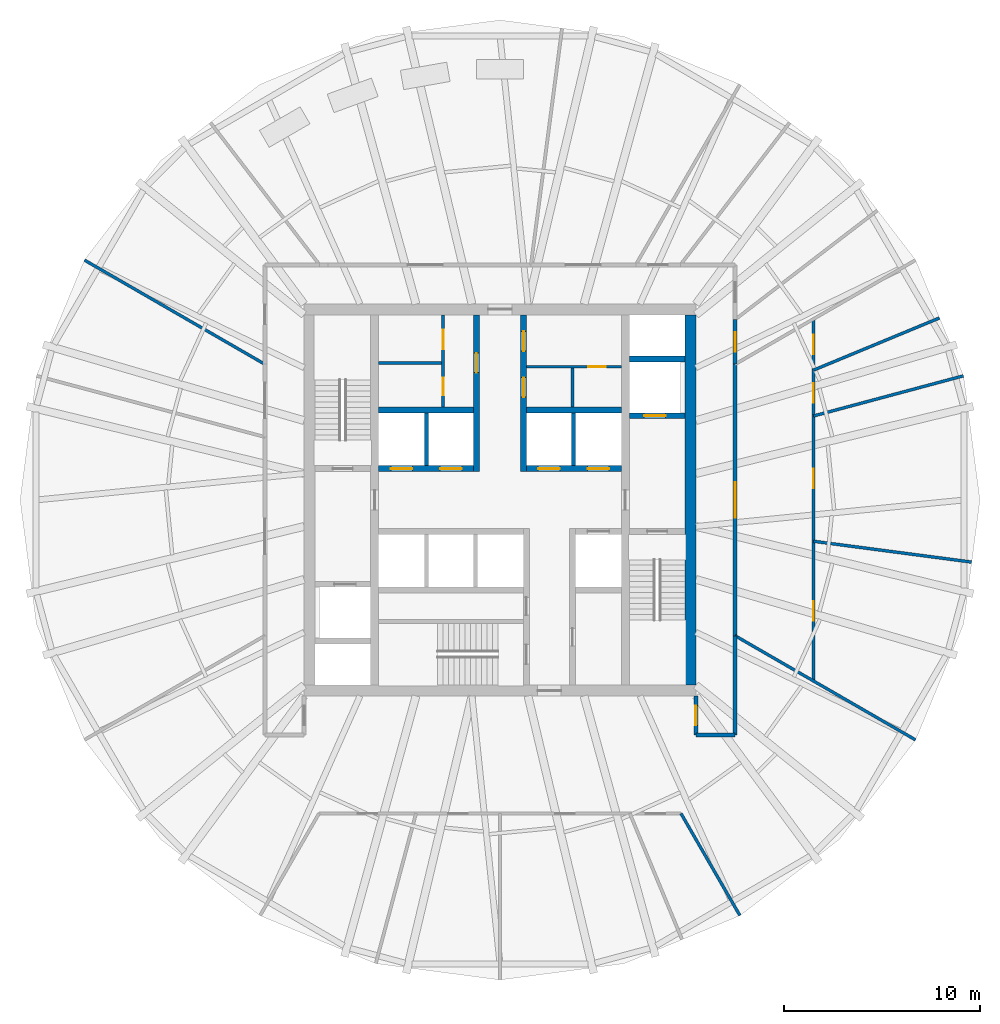
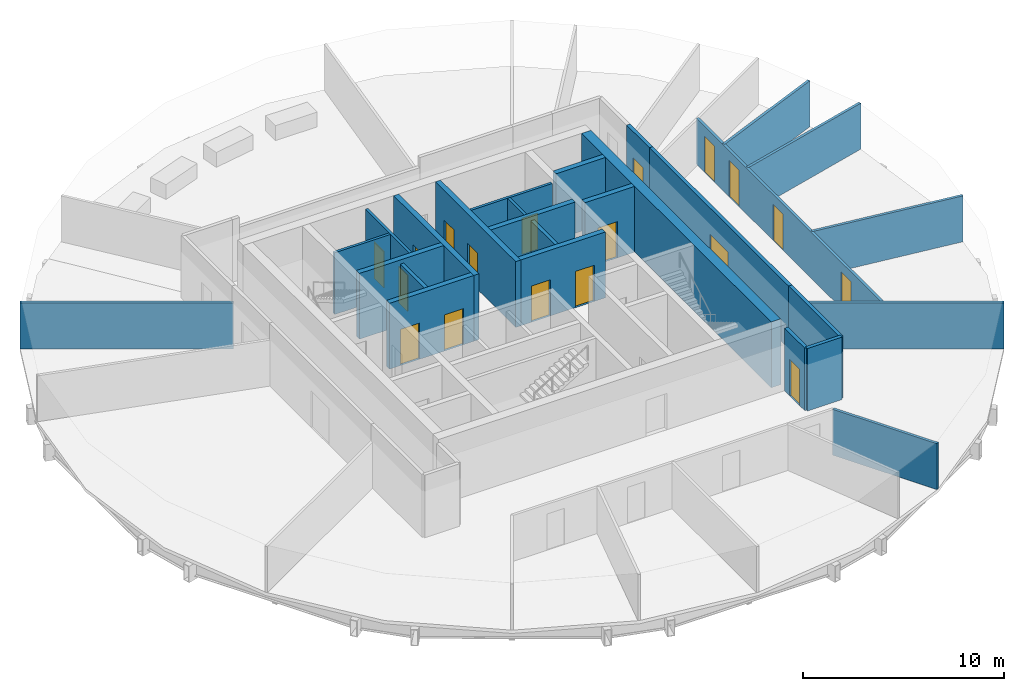
# One storey, part 4 of 7: 27 walls, 18 doors, 18 openings.
"""IFC4 building model written with IfcOpenShell, lengths in metres."""

from ifc_helpers import new_model, si_unit, direction, frame, frame_2d, origin, place, context, subcontext, project, spatial, rectangle, extrude, material, layer, layer_set, type_object, element, fill, save


model = new_model("IFC4")

# Units and contexts
model_context = context("Model", 3, precision=1e-05, world=origin(), true_north=direction((0.0, 1.0)))
body_context = subcontext(model_context, "Body", "Model", "MODEL_VIEW")
ifc_project = project(units=[si_unit("LENGTHUNIT", "METRE"), si_unit("AREAUNIT", "SQUARE_METRE"), si_unit("VOLUMEUNIT", "CUBIC_METRE"), si_unit("PLANEANGLEUNIT", "RADIAN"), si_unit("MASSUNIT", "GRAM", prefix="KILO")], contexts=[model_context])

# Site, building, storey
site_placement = place(None, origin())
site = spatial("IfcSite", under=ifc_project, at=site_placement, CompositionType="ELEMENT")
building_placement = place(site_placement, origin())
building = spatial("IfcBuilding", under=site, at=building_placement, Name="Golbaran Civic Tower", CompositionType="ELEMENT")
storey_placement = place(building_placement, frame((0.0, 0.0, 106.0)))
storey = spatial("IfcBuildingStorey", under=building, at=storey_placement, Name="L25", CompositionType="ELEMENT", Elevation=106.0)

# Wall, opening, door
ifc_material_1 = material(Name="Concrete block", Category="concrete")
ifc_layer_1 = layer(ifc_material_1, 0.14990234375, Name="Concrete block")
ifc_layer_set_1 = layer_set([ifc_layer_1], Name="Concrete block")
wall_type_1 = type_object("IfcWallType", Name="BLOCKWORK PARTITION 150", PredefinedType="PARTITIONING", material=ifc_layer_set_1)
wall_1_placement = place(storey_placement, frame((1.35009765625, 6.800048828125, 0.0), z_axis=(0.0, 0.0, 1.0), x_axis=(1.0, 0.0, 0.0)))
wall_1 = element("IfcWall", 1, at=wall_1_placement, inside=storey, type_object=wall_type_1, Name="Toilet block partition TN1 L25", PredefinedType="PARTITIONING", context=body_context, shape_type="SweptSolid", body=[
    extrude(rectangle(XDim=4.849853515625, YDim=0.14990234375, at=frame_2d((2.4248046875, 0.0))), origin(), (0.0, 0.0, 1.0), 3.75),
])
opening_1_placement = place(wall_1_placement, frame((3.14990234375, 0.0, 0.0)))
opening_1 = element("IfcOpeningElement", 2, at=opening_1_placement, cuts=wall_1, Name="Opening L25.CLN", PredefinedType="OPENING", context=body_context, shape_type="SweptSolid", body=[
    extrude(rectangle(XDim=0.89990234375, YDim=2.199951171875, at=frame_2d((0.449951171875, 1.10009765625))), frame((0.0, 0.0849609375, 0.0), z_axis=(0.0, -1.0, 0.0), x_axis=(1.0, 0.0, 0.0)), (0.0, 0.0, 1.0), 0.169921875),
])
ifc_material_2 = material(Name="Timber door set in steel frame", Category="steel")
door_type_1 = type_object("IfcDoorType", Name="RISER DOOR 900x2200", OperationType="SINGLE_SWING_LEFT", PredefinedType="DOOR", material=ifc_material_2)
door_1_placement = place(opening_1_placement, origin())
door_1 = element("IfcDoor", 3, at=door_1_placement, inside=storey, type_object=door_type_1, Name="Floor Store door", OperationType="SINGLE_SWING_RIGHT", OverallHeight=2.199951171875, OverallWidth=0.89990234375, PredefinedType="DOOR", context=body_context, shape_type="SweptSolid", body=[
    extrude(rectangle(XDim=0.89990234375, YDim=2.199951171875, at=frame_2d((0.449951171875, 1.10009765625))), frame((0.0, 0.02490234375, 0.0), z_axis=(0.0, -1.0, 0.0), x_axis=(1.0, 0.0, 0.0)), (0.0, 0.0, 1.0), 0.050048828125),
])
fill(opening_1, door_1)

# Walls
wall_2_placement = place(storey_placement, frame((3.699951171875, 4.75, 0.0), z_axis=(0.0, 0.0, 1.0), x_axis=(0.0, 1.0, 0.0)))
element("IfcWall", 4, at=wall_2_placement, inside=storey, type_object=wall_type_1, Name="Toilet block partition TN2 L25", PredefinedType="PARTITIONING", context=body_context, shape_type="SweptSolid", body=[
    extrude(rectangle(XDim=1.97509765625, YDim=0.14990234375, at=frame_2d((0.987548828125, 0.0))), origin(), (0.0, 0.0, 1.0), 3.75),
])
ifc_material_3 = material(Name="Concrete C50/60", Category="concrete")
ifc_layer_2 = layer(ifc_material_3, 0.550048828125, Name="Concrete C50/60")
ifc_layer_set_2 = layer_set([ifc_layer_2], Name="Concrete C50/60")
wall_type_2 = type_object("IfcWallType", Name="CORE WALL CONCRETE 550", PredefinedType="SOLIDWALL", material=ifc_layer_set_2)
wall_3_placement = place(storey_placement, frame((9.72509765625, -9.449951171875, 0.0), z_axis=(0.0, 0.0, 1.0), x_axis=(0.0, 1.0, 0.0)))
element("IfcWall", 5, at=wall_3_placement, inside=storey, type_object=wall_type_2, Name="Core wall CE L25", PredefinedType="SOLIDWALL", context=body_context, shape_type="SweptSolid", body=[
    extrude(rectangle(XDim=18.89990234375, YDim=0.550048828125, at=frame_2d((9.449951171875, 0.0))), origin(), (0.0, 0.0, 1.0), 4.0),
])

# Wall, opening, door
ifc_material_4 = material(Name="Gypsum board on steel studs, fire-rated", Category="steel")
ifc_layer_3 = layer(ifc_material_4, 0.199951171875, Name="Gypsum board on steel studs, fire-rated")
ifc_layer_set_3 = layer_set([ifc_layer_3], Name="Gypsum board on steel studs, fire-rated")
wall_type_3 = type_object("IfcWallType", Name="CORRIDOR WALL 200", PredefinedType="PARTITIONING", material=ifc_layer_set_3)
wall_4_placement = place(storey_placement, frame((12.0, -6.92822265625, 0.0), z_axis=(0.0, 0.0, 1.0), x_axis=(0.0, 1.0, 0.0)))
wall_4 = element("IfcWall", 6, at=wall_4_placement, inside=storey, type_object=wall_type_3, Name="Corridor wall L25", PredefinedType="PARTITIONING", context=body_context, shape_type="SweptSolid", body=[
    extrude(rectangle(XDim=13.8564453125, YDim=0.199951171875, at=frame_2d((6.92822265625, 0.0))), origin(), (0.0, 0.0, 1.0), 3.800048828125),
])
opening_2_placement = place(wall_4_placement, frame((6.0283203125, 0.0, 0.0)))
opening_2 = element("IfcOpeningElement", 7, at=opening_2_placement, cuts=wall_4, Name="Opening L25.10", PredefinedType="OPENING", context=body_context, shape_type="SweptSolid", body=[
    extrude(rectangle(XDim=1.800048828125, YDim=2.199951171875, at=frame_2d((0.89990234375, 1.10009765625))), frame((0.0, 0.10986328125, 0.0), z_axis=(0.0, -1.0, 0.0), x_axis=(1.0, 0.0, 0.0)), (0.0, 0.0, 1.0), 0.219970703125),
])
door_type_2 = type_object("IfcDoorType", Name="OFFICE DOUBLE DOOR 1800x2200", OperationType="DOUBLE_DOOR_SINGLE_SWING", PredefinedType="DOOR", material=ifc_material_2)
door_2_placement = place(opening_2_placement, origin())
door_2 = element("IfcDoor", 8, at=door_2_placement, inside=storey, type_object=door_type_2, Name="Secretariat door L25", OperationType="DOUBLE_DOOR_SINGLE_SWING", OverallHeight=2.199951171875, OverallWidth=1.800048828125, PredefinedType="DOOR", context=body_context, shape_type="SweptSolid", body=[
    extrude(rectangle(XDim=1.800048828125, YDim=2.199951171875, at=frame_2d((0.89990234375, 1.10009765625))), frame((0.0, 0.02490234375, 0.0), z_axis=(0.0, -1.0, 0.0), x_axis=(1.0, 0.0, 0.0)), (0.0, 0.0, 1.0), 0.050048828125),
])
fill(opening_2, door_2)

wall_5_placement = place(storey_placement, frame((12.0, 6.92822265625, 0.0), z_axis=(0.0, 0.0, 1.0), x_axis=(0.0, 1.0, 0.0)))
wall_5 = element("IfcWall", 9, at=wall_5_placement, inside=storey, type_object=wall_type_3, Name="Corridor wall L25", PredefinedType="PARTITIONING", context=body_context, shape_type="SweptSolid", body=[
    extrude(rectangle(XDim=2.27978515625, YDim=0.199951171875, at=frame_2d((1.139892578125, 0.0))), origin(), (0.0, 0.0, 1.0), 3.800048828125),
])
opening_3_placement = place(wall_5_placement, frame((0.639892578125, 0.0, 0.0)))
opening_3 = element("IfcOpeningElement", 10, at=opening_3_placement, cuts=wall_5, Name="Opening L25.11", PredefinedType="OPENING", context=body_context, shape_type="SweptSolid", body=[
    extrude(rectangle(XDim=1.0, YDim=2.199951171875, at=frame_2d((0.5, 1.10009765625))), frame((0.0, 0.10986328125, 0.0), z_axis=(0.0, -1.0, 0.0), x_axis=(1.0, 0.0, 0.0)), (0.0, 0.0, 1.0), 0.219970703125),
])
door_type_3 = type_object("IfcDoorType", Name="OFFICE DOOR 1000x2200", OperationType="SINGLE_SWING_LEFT", PredefinedType="DOOR", material=ifc_material_2)
door_3_placement = place(opening_3_placement, origin())
door_3 = element("IfcDoor", 11, at=door_3_placement, inside=storey, type_object=door_type_3, Name="Pantry door L25", OperationType="SINGLE_SWING_LEFT", OverallHeight=2.199951171875, OverallWidth=1.0, PredefinedType="DOOR", context=body_context, shape_type="SweptSolid", body=[
    extrude(rectangle(XDim=1.0, YDim=2.199951171875, at=frame_2d((0.5, 1.10009765625))), frame((0.0, 0.02490234375, 0.0), z_axis=(0.0, -1.0, 0.0), x_axis=(1.0, 0.0, 0.0)), (0.0, 0.0, 1.0), 0.050048828125),
])
fill(opening_3, door_3)

# Walls
wall_6_placement = place(storey_placement, frame((10.0, -12.0, 0.0), z_axis=(0.0, 0.0, 1.0), x_axis=(1.0, 0.0, 0.0)))
element("IfcWall", 12, at=wall_6_placement, inside=storey, type_object=wall_type_3, Name="Corridor wall L25", PredefinedType="PARTITIONING", context=body_context, shape_type="SweptSolid", body=[
    extrude(rectangle(XDim=2.0, YDim=0.199951171875, at=frame_2d((1.0, 0.0))), origin(), (0.0, 0.0, 1.0), 3.800048828125),
])
wall_7_placement = place(storey_placement, frame((12.0, -12.0, 0.0), z_axis=(0.0, 0.0, 1.0), x_axis=(0.0, 1.0, 0.0)))
element("IfcWall", 13, at=wall_7_placement, inside=storey, type_object=wall_type_3, Name="Corridor wall L25", PredefinedType="PARTITIONING", context=body_context, shape_type="SweptSolid", body=[
    extrude(rectangle(XDim=5.07177734375, YDim=0.199951171875, at=frame_2d((2.535888671875, 0.0))), origin(), (0.0, 0.0, 1.0), 3.800048828125),
])

# Wall, opening, door
wall_8_placement = place(storey_placement, frame((10.0, -10.0, 0.0), z_axis=(0.0, 0.0, 1.0), x_axis=(0.0, -1.0, 0.0)))
wall_8 = element("IfcWall", 14, at=wall_8_placement, inside=storey, type_object=wall_type_3, Name="Corridor end wall L25", PredefinedType="PARTITIONING", context=body_context, shape_type="SweptSolid", body=[
    extrude(rectangle(XDim=2.0, YDim=0.199951171875, at=frame_2d((1.0, 0.0))), origin(), (0.0, 0.0, 1.0), 3.800048828125),
])
opening_4_placement = place(wall_8_placement, frame((0.5, 0.0, 0.0)))
opening_4 = element("IfcOpeningElement", 15, at=opening_4_placement, cuts=wall_8, Name="Opening L25.20", PredefinedType="OPENING", context=body_context, shape_type="SweptSolid", body=[
    extrude(rectangle(XDim=1.0, YDim=2.199951171875, at=frame_2d((0.5, 1.10009765625))), frame((0.0, 0.10986328125, 0.0), z_axis=(0.0, -1.0, 0.0), x_axis=(1.0, 0.0, 0.0)), (0.0, 0.0, 1.0), 0.219970703125),
])
door_4_placement = place(opening_4_placement, origin())
door_4 = element("IfcDoor", 16, at=door_4_placement, inside=storey, type_object=door_type_3, Name="Open Office door L25", OperationType="SINGLE_SWING_RIGHT", OverallHeight=2.199951171875, OverallWidth=1.0, PredefinedType="DOOR", context=body_context, shape_type="SweptSolid", body=[
    extrude(rectangle(XDim=1.0, YDim=2.199951171875, at=frame_2d((0.5, 1.10009765625))), frame((0.0, 0.02490234375, 0.0), z_axis=(0.0, -1.0, 0.0), x_axis=(1.0, 0.0, 0.0)), (0.0, 0.0, 1.0), 0.050048828125),
])
fill(opening_4, door_4)

# Walls
ifc_layer_4 = layer(ifc_material_1, 0.199951171875, Name="Concrete block")
ifc_layer_set_4 = layer_set([ifc_layer_4], Name="Concrete block")
wall_type_4 = type_object("IfcWallType", Name="LIFT SEPARATOR WALL 200", PredefinedType="SOLIDWALL", material=ifc_layer_set_4)
for number, where, z_axis, x_axis, name in (
    (17, (-3.75, 1.75, 0.0), (0.0, 0.0, 1.0), (0.0, 1.0, 0.0), "Core partition SNW L25"),
    (18, (3.75, 1.75, 0.0), (0.0, 0.0, 1.0), (0.0, 1.0, 0.0), "Core partition SNE L25"),
):
    element("IfcWall", number, at=place(storey_placement, frame(where, z_axis=z_axis, x_axis=x_axis)), inside=storey, type_object=wall_type_4, Name=name, PredefinedType="SOLIDWALL", context=body_context, shape_type="SweptSolid", body=[
        extrude(rectangle(XDim=2.699951171875, YDim=0.199951171875, at=frame_2d((1.35009765625, 0.0))), origin(), (0.0, 0.0, 1.0), 3.75),
    ])
ifc_material_5 = material(Name="Gypsum board on steel studs", Category="steel")
ifc_layer_5 = layer(ifc_material_5, 0.14990234375, Name="Gypsum board on steel studs")
ifc_layer_set_5 = layer_set([ifc_layer_5], Name="Gypsum board on steel studs")
wall_type_5 = type_object("IfcWallType", Name="OFFICE PARTITION 150", PredefinedType="PARTITIONING", material=ifc_layer_set_5)
for number, where, z_axis, x_axis, name in (
    (19, (12.0, -6.92822265625, 0.0), (0.0, 0.0, 1.0), (0.866024197053, -0.500002090115, 0.0), "Partition 330 L25"),
    (20, (-12.0, 6.92822265625, 0.0), (0.0, 0.0, 1.0), (-0.866024197053, 0.500002090115, 0.0), "Partition 150 L25"),
):
    element("IfcWall", number, at=place(storey_placement, frame(where, z_axis=z_axis, x_axis=x_axis)), inside=storey, type_object=wall_type_5, Name=name, PredefinedType="PARTITIONING", context=body_context, shape_type="SweptSolid", body=[
        extrude(rectangle(XDim=10.630859375, YDim=0.14990234375, at=frame_2d((5.3154296875, 0.0))), origin(), (0.0, 0.0, 1.0), 2.7900390625),
    ])

# Wall, openings, doors
wall_9_placement = place(storey_placement, frame((16.0, -9.237548828125, 0.0), z_axis=(0.0, 0.0, 1.0), x_axis=(0.0, 1.0, 0.0)))
wall_9 = element("IfcWall", 21, at=wall_9_placement, inside=storey, type_object=wall_type_5, Name="Suite partition L25", PredefinedType="PARTITIONING", context=body_context, shape_type="SweptSolid", body=[
    extrude(rectangle(XDim=18.47509765625, YDim=0.14990234375, at=frame_2d((9.237548828125, 0.0))), origin(), (0.0, 0.0, 1.0), 2.7900390625),
])
opening_5_placement = place(wall_9_placement, frame((3.065673828125, 0.0, 0.0)))
opening_5 = element("IfcOpeningElement", 22, at=opening_5_placement, cuts=wall_9, Name="Opening L25.02", PredefinedType="OPENING", context=body_context, shape_type="SweptSolid", body=[
    extrude(rectangle(XDim=1.0, YDim=2.199951171875, at=frame_2d((0.5, 1.10009765625))), frame((0.0, 0.0849609375, 0.0), z_axis=(0.0, -1.0, 0.0), x_axis=(1.0, 0.0, 0.0)), (0.0, 0.0, 1.0), 0.169921875),
])
opening_6_placement = place(wall_9_placement, frame((9.827880859375, 0.0, 0.0)))
opening_6 = element("IfcOpeningElement", 23, at=opening_6_placement, cuts=wall_9, Name="Opening L25.03", PredefinedType="OPENING", context=body_context, shape_type="SweptSolid", body=[
    extrude(rectangle(XDim=1.0, YDim=2.199951171875, at=frame_2d((0.5, 1.10009765625))), frame((0.0, 0.0849609375, 0.0), z_axis=(0.0, -1.0, 0.0), x_axis=(1.0, 0.0, 0.0)), (0.0, 0.0, 1.0), 0.169921875),
])
opening_7_placement = place(wall_9_placement, frame((14.19482421875, 0.0, 0.0)))
opening_7 = element("IfcOpeningElement", 24, at=opening_7_placement, cuts=wall_9, Name="Opening L25.04", PredefinedType="OPENING", context=body_context, shape_type="SweptSolid", body=[
    extrude(rectangle(XDim=1.0, YDim=2.199951171875, at=frame_2d((0.5, 1.10009765625))), frame((0.0, 0.0849609375, 0.0), z_axis=(0.0, -1.0, 0.0), x_axis=(1.0, 0.0, 0.0)), (0.0, 0.0, 1.0), 0.169921875),
])
opening_8_placement = place(wall_9_placement, frame((16.670166015625, 0.0, 0.0)))
opening_8 = element("IfcOpeningElement", 25, at=opening_8_placement, cuts=wall_9, Name="Opening L25.05", PredefinedType="OPENING", context=body_context, shape_type="SweptSolid", body=[
    extrude(rectangle(XDim=1.0, YDim=2.199951171875, at=frame_2d((0.5, 1.10009765625))), frame((0.0, 0.0849609375, 0.0), z_axis=(0.0, -1.0, 0.0), x_axis=(1.0, 0.0, 0.0)), (0.0, 0.0, 1.0), 0.169921875),
])
door_5_placement = place(opening_5_placement, origin())
door_5 = element("IfcDoor", 26, at=door_5_placement, inside=storey, type_object=door_type_3, Name="Office door L25", OperationType="SINGLE_SWING_LEFT", OverallHeight=2.199951171875, OverallWidth=1.0, PredefinedType="DOOR", context=body_context, shape_type="SweptSolid", body=[
    extrude(rectangle(XDim=1.0, YDim=2.199951171875, at=frame_2d((0.5, 1.10009765625))), frame((0.0, 0.02490234375, 0.0), z_axis=(0.0, -1.0, 0.0), x_axis=(1.0, 0.0, 0.0)), (0.0, 0.0, 1.0), 0.050048828125),
])
fill(opening_5, door_5)
door_6_placement = place(opening_6_placement, origin())
door_6 = element("IfcDoor", 27, at=door_6_placement, inside=storey, type_object=door_type_3, Name="Office door L25", OperationType="SINGLE_SWING_RIGHT", OverallHeight=2.199951171875, OverallWidth=1.0, PredefinedType="DOOR", context=body_context, shape_type="SweptSolid", body=[
    extrude(rectangle(XDim=1.0, YDim=2.199951171875, at=frame_2d((0.5, 1.10009765625))), frame((0.0, 0.02490234375, 0.0), z_axis=(0.0, -1.0, 0.0), x_axis=(1.0, 0.0, 0.0)), (0.0, 0.0, 1.0), 0.050048828125),
])
fill(opening_6, door_6)
door_7_placement = place(opening_7_placement, origin())
door_7 = element("IfcDoor", 28, at=door_7_placement, inside=storey, type_object=door_type_3, Name="Office door L25", OperationType="SINGLE_SWING_RIGHT", OverallHeight=2.199951171875, OverallWidth=1.0, PredefinedType="DOOR", context=body_context, shape_type="SweptSolid", body=[
    extrude(rectangle(XDim=1.0, YDim=2.199951171875, at=frame_2d((0.5, 1.10009765625))), frame((0.0, 0.02490234375, 0.0), z_axis=(0.0, -1.0, 0.0), x_axis=(1.0, 0.0, 0.0)), (0.0, 0.0, 1.0), 0.050048828125),
])
fill(opening_7, door_7)
door_8_placement = place(opening_8_placement, origin())
door_8 = element("IfcDoor", 29, at=door_8_placement, inside=storey, type_object=door_type_3, Name="Office door L25", OperationType="SINGLE_SWING_RIGHT", OverallHeight=2.199951171875, OverallWidth=1.0, PredefinedType="DOOR", context=body_context, shape_type="SweptSolid", body=[
    extrude(rectangle(XDim=1.0, YDim=2.199951171875, at=frame_2d((0.5, 1.10009765625))), frame((0.0, 0.02490234375, 0.0), z_axis=(0.0, -1.0, 0.0), x_axis=(1.0, 0.0, 0.0)), (0.0, 0.0, 1.0), 0.050048828125),
])
fill(opening_8, door_8)

# Walls
wall_10_placement = place(storey_placement, frame((16.0, -2.1064453125, 0.0), z_axis=(0.0, 0.0, 1.0), x_axis=(0.99144398145, -0.13053287573, 0.0)))
element("IfcWall", 30, at=wall_10_placement, inside=storey, type_object=wall_type_5, Name="Partition 352.5 L25", PredefinedType="PARTITIONING", context=body_context, shape_type="SweptSolid", body=[
    extrude(rectangle(XDim=8.1396484375, YDim=0.14990234375, at=frame_2d((4.06982421875, 0.0))), origin(), (0.0, 0.0, 1.0), 2.7900390625),
])
wall_11_placement = place(storey_placement, frame((16.0, 4.287109375, 0.0), z_axis=(0.0, 0.0, 1.0), x_axis=(0.965926869261, 0.258815152648, 0.0)))
element("IfcWall", 31, at=wall_11_placement, inside=storey, type_object=wall_type_5, Name="Partition 15 L25", PredefinedType="PARTITIONING", context=body_context, shape_type="SweptSolid", body=[
    extrude(rectangle(XDim=7.9228515625, YDim=0.14990234375, at=frame_2d((3.96142578125, 0.0))), origin(), (0.0, 0.0, 1.0), 2.7900390625),
])
wall_12_placement = place(storey_placement, frame((16.0, 6.62744140625, 0.0), z_axis=(0.0, 0.0, 1.0), x_axis=(0.923876163616, 0.382691565496, 0.0)))
element("IfcWall", 32, at=wall_12_placement, inside=storey, type_object=wall_type_5, Name="Partition 22.5 L25", PredefinedType="PARTITIONING", context=body_context, shape_type="SweptSolid", body=[
    extrude(rectangle(XDim=6.95947265625, YDim=0.14990234375, at=frame_2d((3.479736328125, 0.0))), origin(), (0.0, 0.0, 1.0), 2.7900390625),
])
wall_13_placement = place(storey_placement, frame((9.237548828125, -16.0, 0.0), z_axis=(0.0, 0.0, 1.0), x_axis=(0.500013040137, -0.866017874927, 0.0)))
element("IfcWall", 33, at=wall_13_placement, inside=storey, type_object=wall_type_5, Name="Suite side partition L25", PredefinedType="PARTITIONING", context=body_context, shape_type="SweptSolid", body=[
    extrude(rectangle(XDim=6.011962890625, YDim=0.14990234375, at=frame_2d((3.005859375, 0.0))), origin(), (0.0, 0.0, 1.0), 2.7900390625),
])

# Wall, openings, doors
ifc_layer_6 = layer(ifc_material_3, 0.300048828125, Name="Concrete C50/60")
ifc_layer_set_6 = layer_set([ifc_layer_6], Name="Concrete C50/60")
wall_type_6 = type_object("IfcWallType", Name="SHAFT WALL CONCRETE 300", PredefinedType="SOLIDWALL", material=ifc_layer_set_6)
wall_14_placement = place(storey_placement, frame((-6.199951171875, 1.60009765625, 0.0), z_axis=(0.0, 0.0, 1.0), x_axis=(1.0, 0.0, 0.0)))
wall_14 = element("IfcWall", 34, at=wall_14_placement, inside=storey, type_object=wall_type_6, Name="Core wall FNW L25", PredefinedType="SOLIDWALL", context=body_context, shape_type="SweptSolid", body=[
    extrude(rectangle(XDim=4.849853515625, YDim=0.300048828125, at=frame_2d((2.4248046875, 0.0))), origin(), (0.0, 0.0, 1.0), 4.0),
])
opening_9_placement = place(wall_14_placement, frame((0.625, 0.0, 0.0)))
opening_9 = element("IfcOpeningElement", 35, at=opening_9_placement, cuts=wall_14, Name="Opening L25.LD-Z1M", PredefinedType="OPENING", context=body_context, shape_type="SweptSolid", body=[
    extrude(rectangle(XDim=1.10009765625, YDim=2.199951171875, at=frame_2d((0.550048828125, 1.10009765625))), frame((0.0, 0.159912109375, 0.0), z_axis=(0.0, -1.0, 0.0), x_axis=(1.0, 0.0, 0.0)), (0.0, 0.0, 1.0), 0.320068359375),
])
opening_10_placement = place(wall_14_placement, frame((3.14990234375, 0.0, 0.0)))
opening_10 = element("IfcOpeningElement", 36, at=opening_10_placement, cuts=wall_14, Name="Opening L25.LD-Z2M", PredefinedType="OPENING", context=body_context, shape_type="SweptSolid", body=[
    extrude(rectangle(XDim=1.10009765625, YDim=2.199951171875, at=frame_2d((0.550048828125, 1.10009765625))), frame((0.0, 0.159912109375, 0.0), z_axis=(0.0, -1.0, 0.0), x_axis=(1.0, 0.0, 0.0)), (0.0, 0.0, 1.0), 0.320068359375),
])
ifc_material_6 = material(Name="Stainless steel", Category="steel")
door_type_4 = type_object("IfcDoorType", Name="LIFT LANDING DOOR 1100x2200", OperationType="SLIDING_TO_LEFT", PredefinedType="DOOR", material=ifc_material_6)
door_9_placement = place(opening_9_placement, origin())
door_9 = element("IfcDoor", 37, at=door_9_placement, inside=storey, type_object=door_type_4, Name="Lift landing door Z1M", OperationType="SLIDING_TO_LEFT", OverallHeight=2.199951171875, OverallWidth=1.10009765625, PredefinedType="DOOR", context=body_context, shape_type="SweptSolid", body=[
    extrude(rectangle(XDim=1.10009765625, YDim=2.199951171875, at=frame_2d((0.550048828125, 1.10009765625))), frame((0.0, 0.02490234375, 0.0), z_axis=(0.0, -1.0, 0.0), x_axis=(1.0, 0.0, 0.0)), (0.0, 0.0, 1.0), 0.050048828125),
])
fill(opening_9, door_9)
door_10_placement = place(opening_10_placement, origin())
door_10 = element("IfcDoor", 38, at=door_10_placement, inside=storey, type_object=door_type_4, Name="Lift landing door Z2M", OperationType="SLIDING_TO_LEFT", OverallHeight=2.199951171875, OverallWidth=1.10009765625, PredefinedType="DOOR", context=body_context, shape_type="SweptSolid", body=[
    extrude(rectangle(XDim=1.10009765625, YDim=2.199951171875, at=frame_2d((0.550048828125, 1.10009765625))), frame((0.0, 0.02490234375, 0.0), z_axis=(0.0, -1.0, 0.0), x_axis=(1.0, 0.0, 0.0)), (0.0, 0.0, 1.0), 0.050048828125),
])
fill(opening_10, door_10)

wall_15_placement = place(storey_placement, frame((1.35009765625, 1.60009765625, 0.0), z_axis=(0.0, 0.0, 1.0), x_axis=(1.0, 0.0, 0.0)))
wall_15 = element("IfcWall", 39, at=wall_15_placement, inside=storey, type_object=wall_type_6, Name="Core wall FNE L25", PredefinedType="SOLIDWALL", context=body_context, shape_type="SweptSolid", body=[
    extrude(rectangle(XDim=4.849853515625, YDim=0.300048828125, at=frame_2d((2.4248046875, 0.0))), origin(), (0.0, 0.0, 1.0), 4.0),
])
opening_11_placement = place(wall_15_placement, frame((0.60009765625, 0.0, 0.0)))
opening_11 = element("IfcOpeningElement", 40, at=opening_11_placement, cuts=wall_15, Name="Opening L25.LD-Z3M", PredefinedType="OPENING", context=body_context, shape_type="SweptSolid", body=[
    extrude(rectangle(XDim=1.10009765625, YDim=2.199951171875, at=frame_2d((0.550048828125, 1.10009765625))), frame((0.0, 0.159912109375, 0.0), z_axis=(0.0, -1.0, 0.0), x_axis=(1.0, 0.0, 0.0)), (0.0, 0.0, 1.0), 0.320068359375),
])
opening_12_placement = place(wall_15_placement, frame((3.125, 0.0, 0.0)))
opening_12 = element("IfcOpeningElement", 41, at=opening_12_placement, cuts=wall_15, Name="Opening L25.LD-Z4M", PredefinedType="OPENING", context=body_context, shape_type="SweptSolid", body=[
    extrude(rectangle(XDim=1.10009765625, YDim=2.199951171875, at=frame_2d((0.550048828125, 1.10009765625))), frame((0.0, 0.159912109375, 0.0), z_axis=(0.0, -1.0, 0.0), x_axis=(1.0, 0.0, 0.0)), (0.0, 0.0, 1.0), 0.320068359375),
])
door_11_placement = place(opening_11_placement, origin())
door_11 = element("IfcDoor", 42, at=door_11_placement, inside=storey, type_object=door_type_4, Name="Lift landing door Z3M", OperationType="SLIDING_TO_LEFT", OverallHeight=2.199951171875, OverallWidth=1.10009765625, PredefinedType="DOOR", context=body_context, shape_type="SweptSolid", body=[
    extrude(rectangle(XDim=1.10009765625, YDim=2.199951171875, at=frame_2d((0.550048828125, 1.10009765625))), frame((0.0, 0.02490234375, 0.0), z_axis=(0.0, -1.0, 0.0), x_axis=(1.0, 0.0, 0.0)), (0.0, 0.0, 1.0), 0.050048828125),
])
fill(opening_11, door_11)
door_12_placement = place(opening_12_placement, origin())
door_12 = element("IfcDoor", 43, at=door_12_placement, inside=storey, type_object=door_type_4, Name="Lift landing door Z4M", OperationType="SLIDING_TO_LEFT", OverallHeight=2.199951171875, OverallWidth=1.10009765625, PredefinedType="DOOR", context=body_context, shape_type="SweptSolid", body=[
    extrude(rectangle(XDim=1.10009765625, YDim=2.199951171875, at=frame_2d((0.550048828125, 1.10009765625))), frame((0.0, 0.02490234375, 0.0), z_axis=(0.0, -1.0, 0.0), x_axis=(1.0, 0.0, 0.0)), (0.0, 0.0, 1.0), 0.050048828125),
])
fill(opening_12, door_12)

# Walls
for number, where, z_axis, x_axis, name in (
    (44, (-6.199951171875, 4.60009765625, 0.0), (0.0, 0.0, 1.0), (1.0, 0.0, 0.0), "Core wall BNW L25"),
    (45, (1.35009765625, 4.60009765625, 0.0), (0.0, 0.0, 1.0), (1.0, 0.0, 0.0), "Core wall BNE L25"),
):
    element("IfcWall", number, at=place(storey_placement, frame(where, z_axis=z_axis, x_axis=x_axis)), inside=storey, type_object=wall_type_6, Name=name, PredefinedType="SOLIDWALL", context=body_context, shape_type="SweptSolid", body=[
        extrude(rectangle(XDim=4.849853515625, YDim=0.300048828125, at=frame_2d((2.4248046875, 0.0))), origin(), (0.0, 0.0, 1.0), 4.0),
    ])

# Wall, opening, door
wall_16_placement = place(storey_placement, frame((-1.199951171875, 1.449951171875, 0.0), z_axis=(0.0, 0.0, 1.0), x_axis=(0.0, 1.0, 0.0)))
wall_16 = element("IfcWall", 46, at=wall_16_placement, inside=storey, type_object=wall_type_6, Name="Core wall PNW L25", PredefinedType="SOLIDWALL", context=body_context, shape_type="SweptSolid", body=[
    extrude(rectangle(XDim=8.0, YDim=0.300048828125, at=frame_2d((4.0, 0.0))), origin(), (0.0, 0.0, 1.0), 4.0),
])
opening_13_placement = place(wall_16_placement, frame((5.050048828125, 0.0, 0.0)))
opening_13 = element("IfcOpeningElement", 47, at=opening_13_placement, cuts=wall_16, Name="Opening L25.WCM", PredefinedType="OPENING", context=body_context, shape_type="SweptSolid", body=[
    extrude(rectangle(XDim=1.0, YDim=2.199951171875, at=frame_2d((0.5, 1.10009765625))), frame((0.0, 0.159912109375, 0.0), z_axis=(0.0, -1.0, 0.0), x_axis=(1.0, 0.0, 0.0)), (0.0, 0.0, 1.0), 0.320068359375),
])
door_type_5 = type_object("IfcDoorType", Name="TOILET DOOR 1000x2200", OperationType="SINGLE_SWING_LEFT", PredefinedType="DOOR", material=ifc_material_2)
door_13_placement = place(opening_13_placement, origin())
door_13 = element("IfcDoor", 48, at=door_13_placement, inside=storey, type_object=door_type_5, Name="North-west toilet block door", OperationType="SINGLE_SWING_RIGHT", OverallHeight=2.199951171875, OverallWidth=1.0, PredefinedType="DOOR", context=body_context, shape_type="SweptSolid", body=[
    extrude(rectangle(XDim=1.0, YDim=2.199951171875, at=frame_2d((0.5, 1.10009765625))), frame((0.0, 0.02490234375, 0.0), z_axis=(0.0, -1.0, 0.0), x_axis=(1.0, 0.0, 0.0)), (0.0, 0.0, 1.0), 0.050048828125),
])
fill(opening_13, door_13)

# Wall, openings, doors
wall_17_placement = place(storey_placement, frame((1.199951171875, 1.449951171875, 0.0), z_axis=(0.0, 0.0, 1.0), x_axis=(0.0, 1.0, 0.0)))
wall_17 = element("IfcWall", 49, at=wall_17_placement, inside=storey, type_object=wall_type_6, Name="Core wall PNE L25", PredefinedType="SOLIDWALL", context=body_context, shape_type="SweptSolid", body=[
    extrude(rectangle(XDim=8.0, YDim=0.300048828125, at=frame_2d((4.0, 0.0))), origin(), (0.0, 0.0, 1.0), 4.0),
])
opening_14_placement = place(wall_17_placement, frame((3.800048828125, 0.0, 0.0)))
opening_14 = element("IfcOpeningElement", 50, at=opening_14_placement, cuts=wall_17, Name="Opening L25.WCA", PredefinedType="OPENING", context=body_context, shape_type="SweptSolid", body=[
    extrude(rectangle(XDim=1.0, YDim=2.199951171875, at=frame_2d((0.5, 1.10009765625))), frame((0.0, 0.159912109375, 0.0), z_axis=(0.0, -1.0, 0.0), x_axis=(1.0, 0.0, 0.0)), (0.0, 0.0, 1.0), 0.320068359375),
])
opening_15_placement = place(wall_17_placement, frame((6.14990234375, 0.0, 0.0)))
opening_15 = element("IfcOpeningElement", 51, at=opening_15_placement, cuts=wall_17, Name="Opening L25.WCF", PredefinedType="OPENING", context=body_context, shape_type="SweptSolid", body=[
    extrude(rectangle(XDim=1.0, YDim=2.199951171875, at=frame_2d((0.5, 1.10009765625))), frame((0.0, 0.159912109375, 0.0), z_axis=(0.0, -1.0, 0.0), x_axis=(1.0, 0.0, 0.0)), (0.0, 0.0, 1.0), 0.320068359375),
])
door_14_placement = place(opening_14_placement, origin())
door_14 = element("IfcDoor", 52, at=door_14_placement, inside=storey, type_object=door_type_5, Name="Accessible WC door", OperationType="SINGLE_SWING_RIGHT", OverallHeight=2.199951171875, OverallWidth=1.0, PredefinedType="DOOR", context=body_context, shape_type="SweptSolid", body=[
    extrude(rectangle(XDim=1.0, YDim=2.199951171875, at=frame_2d((0.5, 1.10009765625))), frame((0.0, 0.02490234375, 0.0), z_axis=(0.0, -1.0, 0.0), x_axis=(1.0, 0.0, 0.0)), (0.0, 0.0, 1.0), 0.050048828125),
])
fill(opening_14, door_14)
door_15_placement = place(opening_15_placement, origin())
door_15 = element("IfcDoor", 53, at=door_15_placement, inside=storey, type_object=door_type_5, Name="North-east toilet block door", OperationType="SINGLE_SWING_RIGHT", OverallHeight=2.199951171875, OverallWidth=1.0, PredefinedType="DOOR", context=body_context, shape_type="SweptSolid", body=[
    extrude(rectangle(XDim=1.0, YDim=2.199951171875, at=frame_2d((0.5, 1.10009765625))), frame((0.0, 0.02490234375, 0.0), z_axis=(0.0, -1.0, 0.0), x_axis=(1.0, 0.0, 0.0)), (0.0, 0.0, 1.0), 0.050048828125),
])
fill(opening_15, door_15)

# Wall, opening, door
wall_18_placement = place(storey_placement, frame((6.60009765625, 4.300048828125, 0.0), z_axis=(0.0, 0.0, 1.0), x_axis=(1.0, 0.0, 0.0)))
wall_18 = element("IfcWall", 54, at=wall_18_placement, inside=storey, type_object=wall_type_6, Name="Core wall XE2 L25", PredefinedType="SOLIDWALL", context=body_context, shape_type="SweptSolid", body=[
    extrude(rectangle(XDim=2.849853515625, YDim=0.300048828125, at=frame_2d((1.4248046875, 0.0))), origin(), (0.0, 0.0, 1.0), 4.0),
])
opening_16_placement = place(wall_18_placement, frame((0.75, 0.0, 0.0)))
opening_16 = element("IfcOpeningElement", 55, at=opening_16_placement, cuts=wall_18, Name="Opening L25.LD-F2", PredefinedType="OPENING", context=body_context, shape_type="SweptSolid", body=[
    extrude(rectangle(XDim=1.10009765625, YDim=2.199951171875, at=frame_2d((0.550048828125, 1.10009765625))), frame((0.0, 0.159912109375, 0.0), z_axis=(0.0, -1.0, 0.0), x_axis=(1.0, 0.0, 0.0)), (0.0, 0.0, 1.0), 0.320068359375),
])
door_16_placement = place(opening_16_placement, origin())
door_16 = element("IfcDoor", 56, at=door_16_placement, inside=storey, type_object=door_type_4, Name="Lift landing door F2", OperationType="SLIDING_TO_LEFT", OverallHeight=2.199951171875, OverallWidth=1.10009765625, PredefinedType="DOOR", context=body_context, shape_type="SweptSolid", body=[
    extrude(rectangle(XDim=1.10009765625, YDim=2.199951171875, at=frame_2d((0.550048828125, 1.10009765625))), frame((0.0, 0.02490234375, 0.0), z_axis=(0.0, -1.0, 0.0), x_axis=(1.0, 0.0, 0.0)), (0.0, 0.0, 1.0), 0.050048828125),
])
fill(opening_16, door_16)

# Wall
wall_19_placement = place(storey_placement, frame((6.60009765625, 7.199951171875, 0.0), z_axis=(0.0, 0.0, 1.0), x_axis=(1.0, 0.0, 0.0)))
element("IfcWall", 57, at=wall_19_placement, inside=storey, type_object=wall_type_6, Name="Core wall XE3 L25", PredefinedType="SOLIDWALL", context=body_context, shape_type="SweptSolid", body=[
    extrude(rectangle(XDim=2.849853515625, YDim=0.300048828125, at=frame_2d((1.4248046875, 0.0))), origin(), (0.0, 0.0, 1.0), 4.0),
])

# Wall, openings, doors
ifc_material_7 = material(Name="Moisture-resistant gypsum board on steel studs", Category="steel")
ifc_layer_7 = layer(ifc_material_7, 0.14990234375, Name="Moisture-resistant gypsum board on steel studs")
ifc_layer_set_7 = layer_set([ifc_layer_7], Name="Moisture-resistant gypsum board on steel studs")
wall_type_7 = type_object("IfcWallType", Name="TOILET BLOCK PARTITION 150", PredefinedType="PARTITIONING", material=ifc_layer_set_7)
wall_20_placement = place(storey_placement, frame((-2.89990234375, 4.75, 0.0), z_axis=(0.0, 0.0, 1.0), x_axis=(0.0, 1.0, 0.0)))
wall_20 = element("IfcWall", 58, at=wall_20_placement, inside=storey, type_object=wall_type_7, Name="Toilet block partition MWL L25", PredefinedType="PARTITIONING", context=body_context, shape_type="SweptSolid", body=[
    extrude(rectangle(XDim=4.699951171875, YDim=0.14990234375, at=frame_2d((2.35009765625, 0.0))), origin(), (0.0, 0.0, 1.0), 3.75),
])
opening_17_placement = place(wall_20_placement, frame((2.949951171875, 0.0, 0.0)))
opening_17 = element("IfcOpeningElement", 59, at=opening_17_placement, cuts=wall_20, Name="Opening L25.19", PredefinedType="OPENING", context=body_context, shape_type="SweptSolid", body=[
    extrude(rectangle(XDim=1.0, YDim=2.199951171875, at=frame_2d((0.5, 1.10009765625))), frame((0.0, 0.0849609375, 0.0), z_axis=(0.0, -1.0, 0.0), x_axis=(1.0, 0.0, 0.0)), (0.0, 0.0, 1.0), 0.169921875),
])
opening_18_placement = place(wall_20_placement, frame((0.60009765625, 0.0, 0.0)))
opening_18 = element("IfcOpeningElement", 60, at=opening_18_placement, cuts=wall_20, Name="Opening L25.01", PredefinedType="OPENING", context=body_context, shape_type="SweptSolid", body=[
    extrude(rectangle(XDim=0.89990234375, YDim=2.199951171875, at=frame_2d((0.449951171875, 1.10009765625))), frame((0.0, 0.0849609375, 0.0), z_axis=(0.0, -1.0, 0.0), x_axis=(1.0, 0.0, 0.0)), (0.0, 0.0, 1.0), 0.169921875),
])
door_17_placement = place(opening_18_placement, origin())
door_17 = element("IfcDoor", 61, at=door_17_placement, inside=storey, type_object=door_type_1, Name="IT and comms room door", OperationType="SINGLE_SWING_LEFT", OverallHeight=2.199951171875, OverallWidth=0.89990234375, PredefinedType="DOOR", context=body_context, shape_type="SweptSolid", body=[
    extrude(rectangle(XDim=0.89990234375, YDim=2.199951171875, at=frame_2d((0.449951171875, 1.10009765625))), frame((0.0, 0.02490234375, 0.0), z_axis=(0.0, -1.0, 0.0), x_axis=(1.0, 0.0, 0.0)), (0.0, 0.0, 1.0), 0.050048828125),
])
fill(opening_18, door_17)
door_18_placement = place(opening_17_placement, origin())
door_18 = element("IfcDoor", 62, at=door_18_placement, inside=storey, type_object=door_type_5, Name="Female WC door", OperationType="SINGLE_SWING_RIGHT", OverallHeight=2.199951171875, OverallWidth=1.0, PredefinedType="DOOR", context=body_context, shape_type="SweptSolid", body=[
    extrude(rectangle(XDim=1.0, YDim=2.199951171875, at=frame_2d((0.5, 1.10009765625))), frame((0.0, 0.02490234375, 0.0), z_axis=(0.0, -1.0, 0.0), x_axis=(1.0, 0.0, 0.0)), (0.0, 0.0, 1.0), 0.050048828125),
])
fill(opening_17, door_18)

# Wall
wall_21_placement = place(storey_placement, frame((-6.199951171875, 7.0, 0.0), z_axis=(0.0, 0.0, 1.0), x_axis=(1.0, 0.0, 0.0)))
element("IfcWall", 63, at=wall_21_placement, inside=storey, type_object=wall_type_7, Name="Toilet block partition MWX L25", PredefinedType="PARTITIONING", context=body_context, shape_type="SweptSolid", body=[
    extrude(rectangle(XDim=3.224853515625, YDim=0.14990234375, at=frame_2d((1.6123046875, 0.0))), origin(), (0.0, 0.0, 1.0), 3.75),
])

save(model, "model.ifc")
